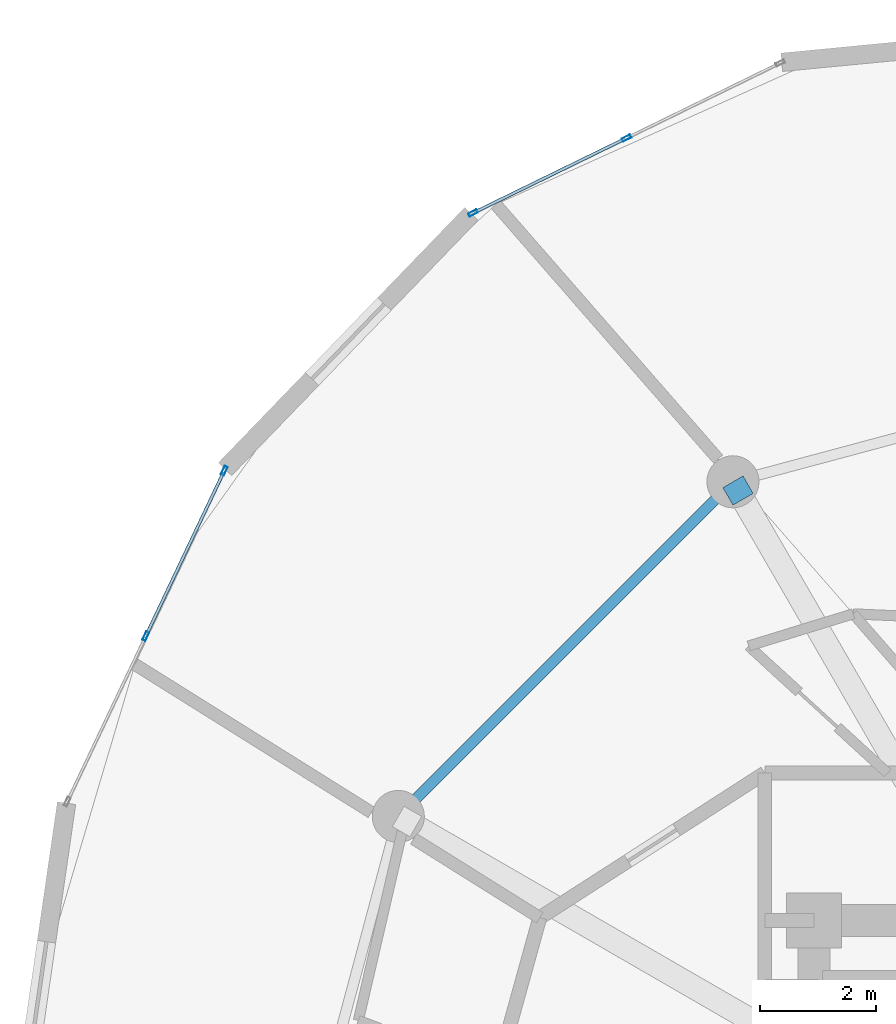
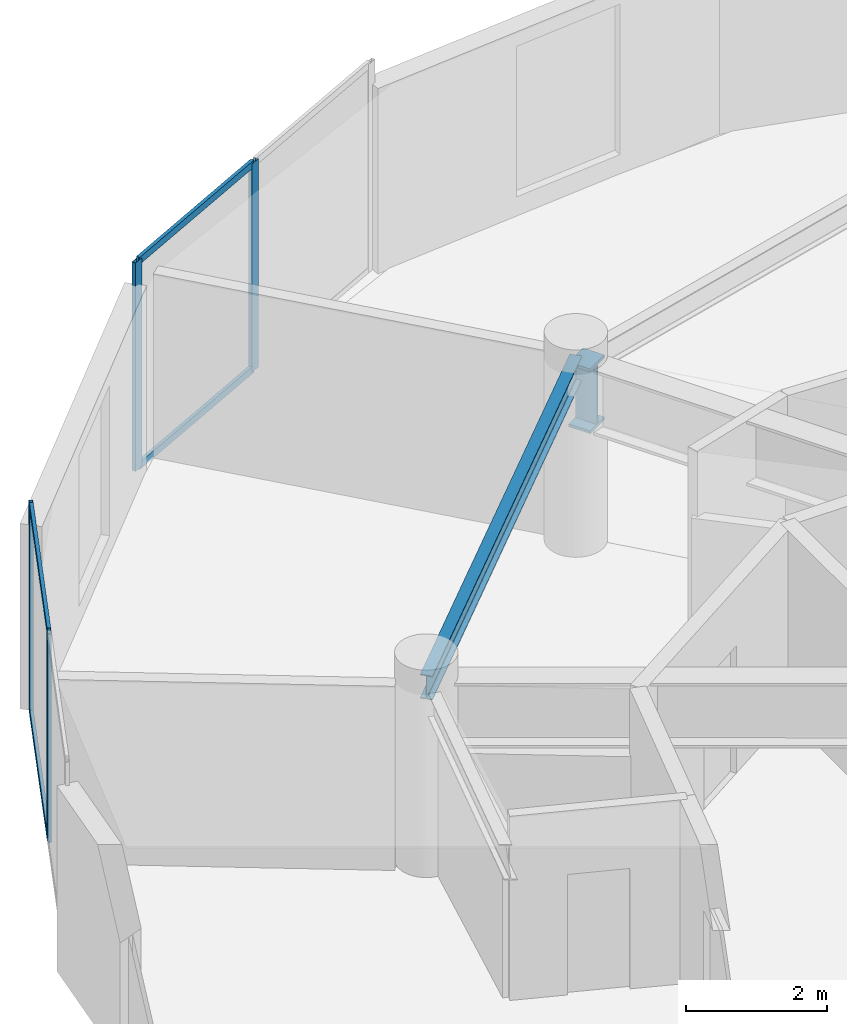
# One storey, part 12 of 22: 8 members, 2 beams, 2 elements without a shape of their own.
"""IFC4 building model written with IfcOpenShell, lengths in metres."""

from ifc_helpers import new_model, si_unit, direction, frame, origin, origin_2d, place, context, subcontext, project, spatial, hollow_rectangle, i_section, extrude, source, transform, mapped, material, layer, layer_set, material_profile, profile_set, type_object, element, aggregate, save


model = new_model("IFC4")

# Units and contexts
model_context = context("Model", 3, precision=1e-05, world=origin(), true_north=direction((0.0, 1.0)))
body_context = subcontext(model_context, "Body", "Model", "MODEL_VIEW")
ifc_project = project(units=[si_unit("LENGTHUNIT", "METRE"), si_unit("AREAUNIT", "SQUARE_METRE"), si_unit("VOLUMEUNIT", "CUBIC_METRE"), si_unit("PLANEANGLEUNIT", "RADIAN"), si_unit("MASSUNIT", "GRAM", prefix="KILO")], contexts=[model_context])

# Site, building, storey
site_placement = place(None, origin())
site = spatial("IfcSite", under=ifc_project, at=site_placement, CompositionType="ELEMENT")
building_placement = place(site_placement, origin())
building = spatial("IfcBuilding", under=site, at=building_placement, Name="Solvirekh Grand Hotel", CompositionType="ELEMENT")
storey_placement = place(building_placement, frame((0.0, 0.0, 230.800048828125)))
storey = spatial("IfcBuildingStorey", under=building, at=storey_placement, Name="L60", CompositionType="ELEMENT", Elevation=230.800048828125)

# Beams
ifc_material_1 = material(Name="Steel S355", Category="steel")
ifc_material_profile_1 = material_profile(ifc_material_1, i_section(OverallWidth=0.180908203125, OverallDepth=0.4169921875, WebThickness=0.010009765625, FlangeThickness=0.01611328125, FilletRadius=0.011962890625, at=origin_2d()), Name="W410X85")
ifc_profile_set_1 = profile_set([ifc_material_profile_1], Name="Steel S355")
beam_type_1 = type_object("IfcBeamType", Name="Spandrel_Ring_W410", PredefinedType="SPANDREL", material=ifc_profile_set_1)
beam_1_placement = place(storey_placement, frame((-7.89990234375, 13.68310546875, 2.991943359375), z_axis=(-0.707106781187, -0.707106781187, 0.0), x_axis=(0.707106781187, -0.707106781187, 0.0)))
element("IfcBeam", 1, at=beam_1_placement, inside=storey, type_object=beam_type_1, Name="L60 perimeter spandrel beam 5", PredefinedType="SPANDREL", context=body_context, shape_type="SweptSolid", body=[
    extrude(i_section(OverallWidth=0.180908203125, OverallDepth=0.4169921875, WebThickness=0.010009765625, FlangeThickness=0.01611328125, FilletRadius=0.011962890625, at=origin_2d()), origin(), (0.0, 0.0, 1.0), 8.1787109375),
])
ifc_material_2 = material(Name="Steel S460", Category="steel")
ifc_material_profile_2 = material_profile(ifc_material_2, i_section(OverallWidth=0.405029296875, OverallDepth=1.117919921875, WebThickness=0.02587890625, FlangeThickness=0.048095703125, FilletRadius=0.02392578125, at=origin_2d()), Name="W1100X499")
ifc_profile_set_2 = profile_set([ifc_material_profile_2], Name="Steel S460")
beam_type_2 = type_object("IfcBeamType", Name="TransferGirder_W1100", PredefinedType="USERDEFINED", material=ifc_profile_set_2)
beam_2_placement = place(storey_placement, frame((-7.72509765625, 13.3798828125, 2.640869140625), z_axis=(-0.499440622861, 0.866348119543, 0.0), x_axis=(-0.866348119543, -0.499440622861, 0.0)))
element("IfcBeam", 2, at=beam_2_placement, inside=storey, type_object=beam_type_2, Name="L60 outer radial transfer girder 5B", ObjectType="TRANSFER GIRDER", PredefinedType="USERDEFINED", context=body_context, shape_type="SweptSolid", body=[
    extrude(i_section(OverallWidth=0.405029296875, OverallDepth=1.117919921875, WebThickness=0.02587890625, FlangeThickness=0.048095703125, FilletRadius=0.02392578125, at=origin_2d()), origin(), (0.0, 0.0, 1.0), 0.35009765625),
])

# Curtain wall, members
ifc_material_3 = material(Name="Anodized Bronze Aluminium 6063-T6", Category="aluminium")
ifc_layer = layer(ifc_material_3, 0.159912109375)
ifc_layer_set = layer_set([ifc_layer], Name="Anodized Bronze Aluminium 6063-T6")
curtain_wall_type = type_object("IfcCurtainWallType", Name="CW_Sys4_HighZoneFlushBronzeCW", PredefinedType="NOTDEFINED", material=ifc_layer_set)
curtain_wall_1_placement = place(storey_placement, origin())
curtain_wall_1 = element("IfcCurtainWall", 3, at=curtain_wall_1_placement, inside=storey, type_object=curtain_wall_type, Name="L60 unitised bronze-glass curtain wall CW-L60-C13", PredefinedType="NOTDEFINED")
ifc_material_profile_3 = material_profile(ifc_material_3, hollow_rectangle(XDim=0.054931640625, YDim=0.1201171875, WallThickness=0.00390625, at=origin_2d()), Name="ALU RHS 120X55X4")
ifc_profile_set_3 = profile_set([ifc_material_profile_3], Name="Anodized Bronze Aluminium 6063-T6")
member_type_1 = type_object("IfcMemberType", Name="CWTransom_Sys4", PredefinedType="USERDEFINED", material=ifc_profile_set_3)
shared_shape_1 = source(origin(), body_context, "Body", "SweptSolid", [
    extrude(hollow_rectangle(XDim=0.054931640625, YDim=0.1201171875, WallThickness=0.00390625, at=origin_2d()), origin(), (0.0, 0.0, 1.0), 3.1044921875),
])
member_1_placement = place(storey_placement, frame((-16.70263671875, 13.8466796875, 0.02734375), z_axis=(-0.428748803823, -0.903423745106, 0.0), x_axis=(0.903423745106, -0.428748803823, 0.0)))
member_1 = element("IfcMember", 4, at=member_1_placement, type_object=member_type_1, Name="U04 transom 1.1", ObjectType="TRANSOM", PredefinedType="USERDEFINED", context=body_context, shape_type="MappedRepresentation", body=[
    mapped(shared_shape_1, transform((0.0, 0.0, 0.0), x_axis=(1.0, 0.0, 0.0), y_axis=(0.0, 1.0, 0.0), z_axis=(0.0, 0.0, 1.0), scale=1.0)),
])
member_2_placement = place(storey_placement, frame((-16.70263671875, 13.8466796875, 3.572509765625), z_axis=(-0.428748803823, -0.903423745106, 0.0), x_axis=(0.903423745106, -0.428748803823, 0.0)))
member_2 = element("IfcMember", 5, at=member_2_placement, type_object=member_type_1, Name="U04 transom 1.2", ObjectType="TRANSOM", PredefinedType="USERDEFINED", context=body_context, shape_type="MappedRepresentation", body=[
    mapped(shared_shape_1, transform((0.0, 0.0, 0.0), x_axis=(1.0, 0.0, 0.0), y_axis=(0.0, 1.0, 0.0), z_axis=(0.0, 0.0, 1.0), scale=1.0)),
])

curtain_wall_2_placement = place(storey_placement, origin())
curtain_wall_2 = element("IfcCurtainWall", 6, at=curtain_wall_2_placement, inside=storey, type_object=curtain_wall_type, Name="L60 unitised bronze-glass curtain wall CW-L60-C11", PredefinedType="NOTDEFINED")
ifc_material_profile_4 = material_profile(ifc_material_3, hollow_rectangle(XDim=0.06005859375, YDim=0.159912109375, WallThickness=0.0048828125, at=origin_2d()), Name="ALU RHS 160X60X5")
ifc_profile_set_4 = profile_set([ifc_material_profile_4], Name="Anodized Bronze Aluminium 6063-T6")
member_type_2 = type_object("IfcMemberType", Name="CWMullion_Sys4", PredefinedType="MULLION", material=ifc_profile_set_4)
shared_shape_2 = source(origin(), body_context, "Body", "SweptSolid", [
    extrude(hollow_rectangle(XDim=0.06005859375, YDim=0.159912109375, WallThickness=0.0048828125, at=origin_2d()), origin(), (0.0, 0.0, 1.0), 3.599853515625),
])
member_3_placement = place(storey_placement, frame((-9.738037109375, 19.62255859375, 0.0), z_axis=(0.0, 0.0, 1.0), x_axis=(0.438882497349, -0.898544463853, 0.0)))
member_3 = element("IfcMember", 7, at=member_3_placement, type_object=member_type_2, Name="U04 mullion 2", PredefinedType="MULLION", context=body_context, shape_type="MappedRepresentation", body=[
    mapped(shared_shape_2, transform((0.0, 0.0, 0.0), x_axis=(1.0, 0.0, 0.0), y_axis=(0.0, 1.0, 0.0), z_axis=(0.0, 0.0, 1.0), scale=1.0)),
])
member_4_placement = place(storey_placement, frame((-12.39208984375, 18.326171875, 0.0), z_axis=(0.0, 0.0, 1.0), x_axis=(0.438882497349, -0.898544463853, 0.0)))
member_4 = element("IfcMember", 8, at=member_4_placement, type_object=member_type_2, Name="U04 mullion 3", PredefinedType="MULLION", context=body_context, shape_type="MappedRepresentation", body=[
    mapped(shared_shape_2, transform((0.0, 0.0, 0.0), x_axis=(1.0, 0.0, 0.0), y_axis=(0.0, 1.0, 0.0), z_axis=(0.0, 0.0, 1.0), scale=1.0)),
])

# Member
member_5_placement = place(storey_placement, frame((-16.68994140625, 13.873779296875, 0.0), z_axis=(0.0, 0.0, 1.0), x_axis=(0.90344122325, -0.428711973396, 0.0)))
member_5 = element("IfcMember", 9, at=member_5_placement, type_object=member_type_2, Name="U04 mullion 1", PredefinedType="MULLION", context=body_context, shape_type="MappedRepresentation", body=[
    mapped(shared_shape_2, transform((0.0, 0.0, 0.0), x_axis=(1.0, 0.0, 0.0), y_axis=(0.0, 1.0, 0.0), z_axis=(0.0, 0.0, 1.0), scale=1.0)),
])

member_6_placement = place(storey_placement, frame((-18.04638671875, 11.014892578125, 0.0), z_axis=(0.0, 0.0, 1.0), x_axis=(0.90344122325, -0.428711973396, 0.0)))
member_6 = element("IfcMember", 10, at=member_6_placement, type_object=member_type_2, Name="U04 mullion 2", PredefinedType="MULLION", context=body_context, shape_type="MappedRepresentation", body=[
    mapped(shared_shape_2, transform((0.0, 0.0, 0.0), x_axis=(1.0, 0.0, 0.0), y_axis=(0.0, 1.0, 0.0), z_axis=(0.0, 0.0, 1.0), scale=1.0)),
])

aggregate(curtain_wall_1, [member_5, member_6, member_1, member_2])

shared_shape_3 = source(origin(), body_context, "Body", "SweptSolid", [
    extrude(hollow_rectangle(XDim=0.054931640625, YDim=0.1201171875, WallThickness=0.00390625, at=origin_2d()), origin(), (0.0, 0.0, 1.0), 2.893798828125),
])
member_7_placement = place(storey_placement, frame((-9.764892578125, 19.609375, 0.02734375), z_axis=(-0.89853966105, -0.438892330214, 0.0), x_axis=(0.438892330214, -0.89853966105, 0.0)))
member_7 = element("IfcMember", 11, at=member_7_placement, type_object=member_type_1, Name="U04 transom 2.1", ObjectType="TRANSOM", PredefinedType="USERDEFINED", context=body_context, shape_type="MappedRepresentation", body=[
    mapped(shared_shape_3, transform((0.0, 0.0, 0.0), x_axis=(1.0, 0.0, 0.0), y_axis=(0.0, 1.0, 0.0), z_axis=(0.0, 0.0, 1.0), scale=1.0)),
])

member_8_placement = place(storey_placement, frame((-9.764892578125, 19.609375, 3.572509765625), z_axis=(-0.89853966105, -0.438892330214, 0.0), x_axis=(0.438892330214, -0.89853966105, 0.0)))
member_8 = element("IfcMember", 12, at=member_8_placement, type_object=member_type_1, Name="U04 transom 2.2", ObjectType="TRANSOM", PredefinedType="USERDEFINED", context=body_context, shape_type="MappedRepresentation", body=[
    mapped(shared_shape_3, transform((0.0, 0.0, 0.0), x_axis=(1.0, 0.0, 0.0), y_axis=(0.0, 1.0, 0.0), z_axis=(0.0, 0.0, 1.0), scale=1.0)),
])

aggregate(curtain_wall_2, [member_3, member_4, member_7, member_8])

save(model, "model.ifc")
